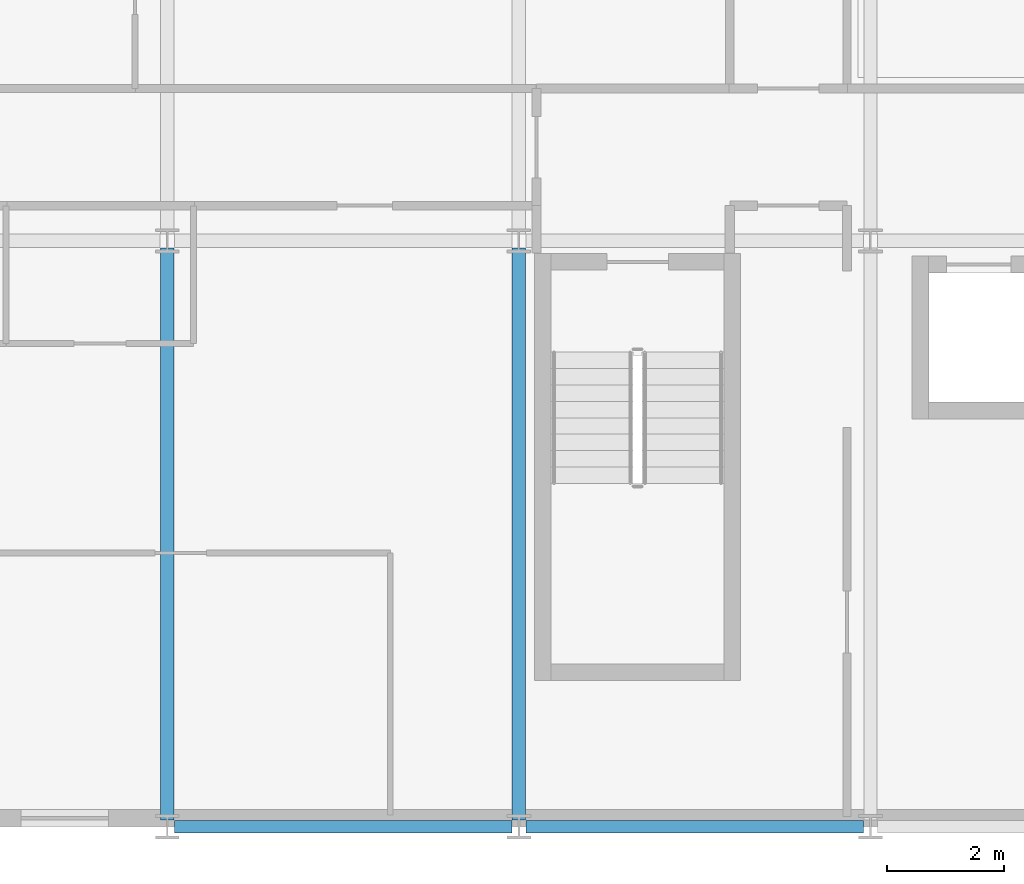
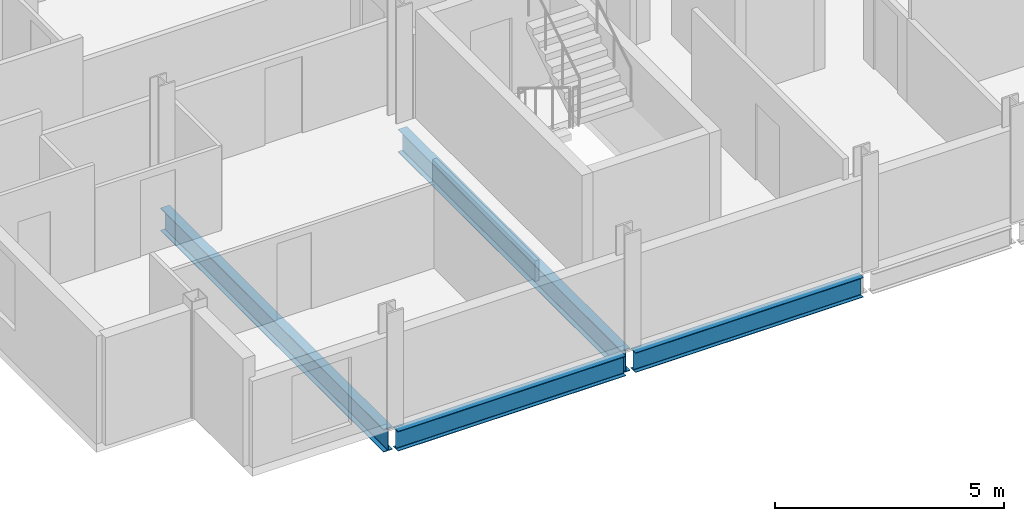
# One storey, part 3 of 39: 4 beams.
"""IFC4 building model written with IfcOpenShell, lengths in metres."""

from ifc_helpers import new_model, si_unit, direction, frame, origin, origin_2d, place, context, subcontext, project, spatial, i_section, extrude, material, material_profile, profile_set, type_object, element, save


model = new_model("IFC4")

# Units and contexts
model_context = context("Model", 3, precision=1e-05, world=origin(), true_north=direction((0.0, 1.0)))
body_context = subcontext(model_context, "Body", "Model", "MODEL_VIEW")
ifc_project = project(units=[si_unit("LENGTHUNIT", "METRE"), si_unit("AREAUNIT", "SQUARE_METRE"), si_unit("VOLUMEUNIT", "CUBIC_METRE"), si_unit("PLANEANGLEUNIT", "RADIAN"), si_unit("MASSUNIT", "GRAM", prefix="KILO")], contexts=[model_context])

# Site, building, storey
site_placement = place(None, origin())
site = spatial("IfcSite", under=ifc_project, at=site_placement, CompositionType="ELEMENT")
building_placement = place(site_placement, origin())
building = spatial("IfcBuilding", under=site, at=building_placement, Name="Brevholm Reach", CompositionType="ELEMENT")
storey_placement = place(building_placement, frame((0.0, 0.0, 154.199951171875)))
storey = spatial("IfcBuildingStorey", under=building, at=storey_placement, Name="L46", CompositionType="ELEMENT", Elevation=154.199951171875)

# Beams
ifc_material_1 = material(Name="Structural Steel S355J2", Category="steel")
ifc_material_profile_1 = material_profile(ifc_material_1, i_section(OverallWidth=0.209228515625, OverallDepth=0.533203125, WebThickness=0.010009765625, FlangeThickness=0.015625, FilletRadius=0.0126953125, at=origin_2d()), Name="UKB 533x210x92")
ifc_profile_set_1 = profile_set([ifc_material_profile_1], Name="Structural Steel S355J2")
beam_type_1 = type_object("IfcBeamType", Name="BM-SP533", PredefinedType="SPANDREL", material=ifc_profile_set_1)
for number, where, z_axis, x_axis, name in (
    (1, (6.1201171875, 0.0, -0.486572265625), (1.0, 0.0, 0.0), (0.0, 1.0, 0.0), "L46 SP-02 Framing Beam"),
    (2, (12.1201171875, 0.0, -0.486572265625), (1.0, 0.0, 0.0), (0.0, 1.0, 0.0), "L46 SP-02 Framing Beam"),
):
    element("IfcBeam", number, at=place(storey_placement, frame(where, z_axis=z_axis, x_axis=x_axis)), inside=storey, type_object=beam_type_1, Name=name, PredefinedType="SPANDREL", context=body_context, shape_type="SweptSolid", body=[
        extrude(i_section(OverallWidth=0.209228515625, OverallDepth=0.533203125, WebThickness=0.010009765625, FlangeThickness=0.015625, FilletRadius=0.0126953125, at=origin_2d()), origin(), (0.0, 0.0, 1.0), 5.759765625),
    ])
ifc_material_2 = material(Name="Structural Steel S355J2", Category="steel")
ifc_material_profile_2 = material_profile(ifc_material_2, i_section(OverallWidth=0.22900390625, OverallDepth=0.6123046875, WebThickness=0.011962890625, FlangeThickness=0.01953125, FilletRadius=0.0126953125, at=origin_2d()), Name="UKB 610x229x125")
ifc_profile_set_2 = profile_set([ifc_material_profile_2], Name="Structural Steel S355J2")
beam_type_2 = type_object("IfcBeamType", Name="BM-SP610", PredefinedType="SPANDREL", material=ifc_profile_set_2)
for number, where, z_axis, x_axis, name in (
    (3, (6.0, 0.1201171875, -0.526123046875), (0.0, 1.0, 0.0), (-1.0, 0.0, 0.0), "L46 SP-01 Framing Beam"),
    (4, (12.0, 0.1201171875, -0.526123046875), (0.0, 1.0, 0.0), (-1.0, 0.0, 0.0), "L46 SP-01 Framing Beam"),
):
    element("IfcBeam", number, at=place(storey_placement, frame(where, z_axis=z_axis, x_axis=x_axis)), inside=storey, type_object=beam_type_2, Name=name, PredefinedType="SPANDREL", context=body_context, shape_type="SweptSolid", body=[
        extrude(i_section(OverallWidth=0.22900390625, OverallDepth=0.6123046875, WebThickness=0.011962890625, FlangeThickness=0.01953125, FilletRadius=0.0126953125, at=origin_2d()), origin(), (0.0, 0.0, 1.0), 9.759765625),
    ])

save(model, "model.ifc")
